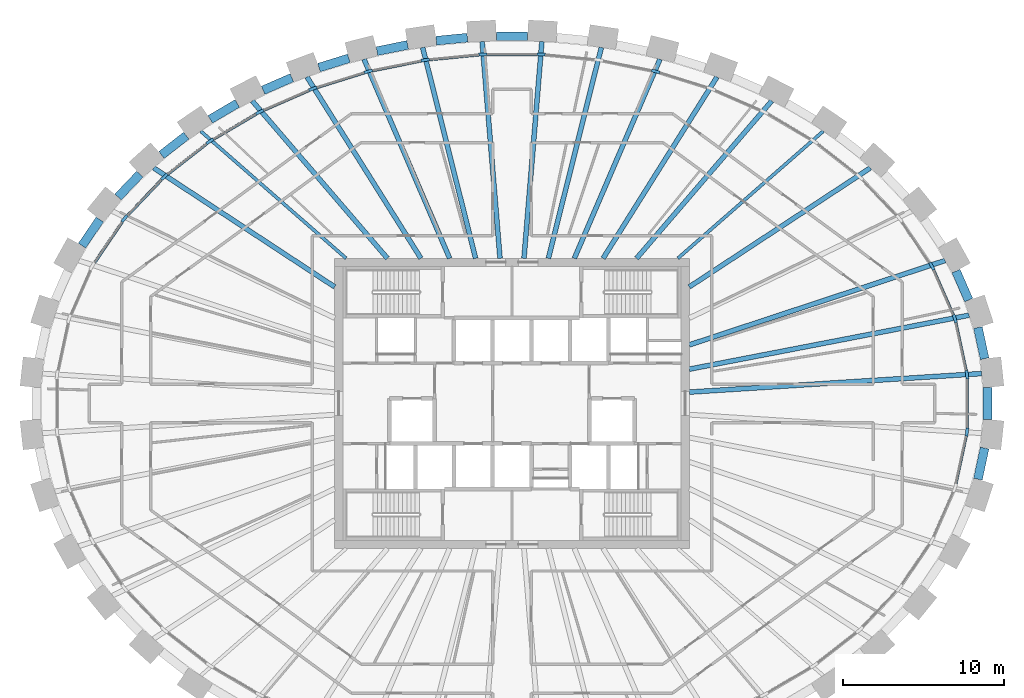
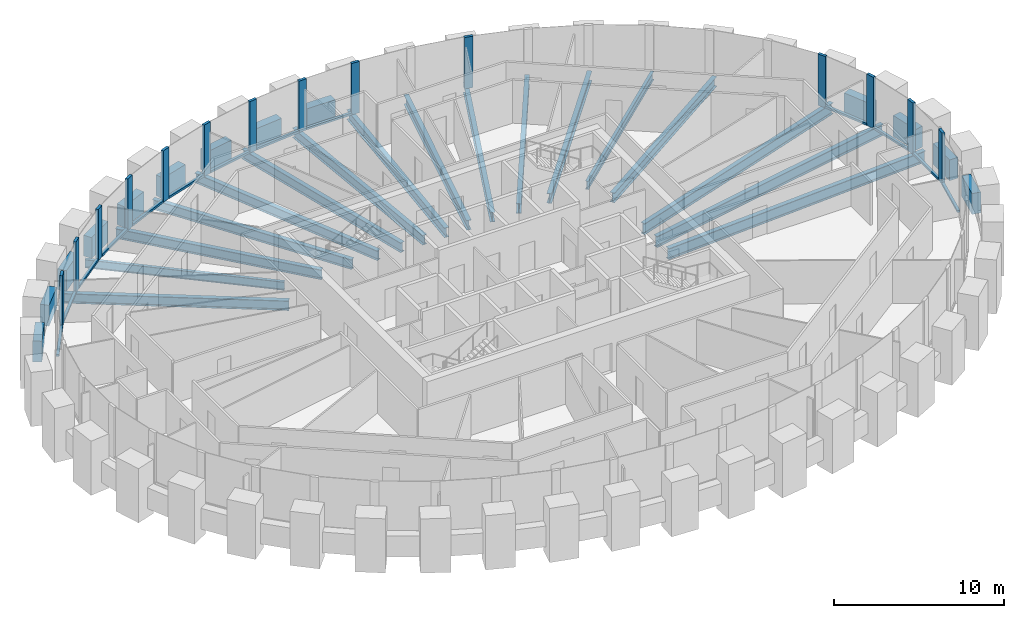
# One storey, part 3 of 12: 30 beams, 27 members, 1 element without a shape of its own.
"""IFC4 building model written with IfcOpenShell, lengths in metres."""

from ifc_helpers import new_model, si_unit, direction, frame, origin, origin_2d, place, context, subcontext, project, spatial, rectangle, i_section, extrude, source, transform, mapped, material, material_profile, profile_set, type_object, element, aggregate, save


model = new_model("IFC4")

# Units and contexts
model_context = context("Model", 3, precision=1e-05, world=origin(), true_north=direction((0.0, 1.0)))
body_context = subcontext(model_context, "Body", "Model", "MODEL_VIEW")
ifc_project = project(units=[si_unit("LENGTHUNIT", "METRE"), si_unit("AREAUNIT", "SQUARE_METRE"), si_unit("VOLUMEUNIT", "CUBIC_METRE"), si_unit("PLANEANGLEUNIT", "RADIAN"), si_unit("MASSUNIT", "GRAM", prefix="KILO")], contexts=[model_context])

# Site, building, storey
site_placement = place(None, origin())
site = spatial("IfcSite", under=ifc_project, at=site_placement, CompositionType="ELEMENT")
building_placement = place(site_placement, origin())
building = spatial("IfcBuilding", under=site, at=building_placement, Name="Embergate Tower", CompositionType="ELEMENT")
storey_placement = place(building_placement, frame((0.0, 0.0, 320.800048828125)))
storey = spatial("IfcBuildingStorey", under=building, at=storey_placement, Name="L75", CompositionType="ELEMENT", Elevation=320.800048828125)

# Beams
ifc_material_1 = material(Name="Concrete C50", Category="concrete")
ifc_material_profile_1 = material_profile(ifc_material_1, rectangle(XDim=0.550048828125, YDim=1.5, at=origin_2d()), Name="RC 550x1500")
ifc_profile_set_1 = profile_set([ifc_material_profile_1], Name="Concrete C50")
beam_type_1 = type_object("IfcBeamType", Name="Spandrel beam RC 550x1500 C50", PredefinedType="BEAM", material=ifc_profile_set_1)
shared_shape_1 = source(origin(), body_context, "Body", "SweptSolid", [
    extrude(rectangle(XDim=0.550048828125, YDim=1.5, at=origin_2d()), origin(), (0.0, 0.0, 1.0), 1.970947265625),
])
for number, where, z_axis, x_axis, name in (
    (1, (29.322998046875, 2.77587890625, 0.0), (-0.210078905476, 0.977684434505, 0.0), (-0.977684434505, -0.210078905476, 0.0), "SPN-L75-00"),
    (2, (28.908935546875, -4.702880859375, 0.0), (0.210078905476, 0.977684434505, 0.0), (-0.977684434505, 0.210078905476, 0.0), "SPN-L75-42"),
):
    element("IfcBeam", number, at=place(storey_placement, frame(where, z_axis=z_axis, x_axis=x_axis)), inside=storey, type_object=beam_type_1, Name=name, PredefinedType="BEAM", context=body_context, shape_type="MappedRepresentation", body=[
        mapped(shared_shape_1, transform((0.0, 0.0, 0.0))),
    ])
shared_shape_2 = source(origin(), body_context, "Body", "SweptSolid", [
    extrude(rectangle(XDim=0.550048828125, YDim=1.5, at=origin_2d()), origin(), (0.0, 0.0, 1.0), 1.96435546875),
])
beam_1_placement = place(storey_placement, frame((28.3359375, 6.408935546875, 0.0), z_axis=(-0.401555432353, 0.915834720213, 0.0), x_axis=(-0.915834720213, -0.401555432353, 0.0)))
element("IfcBeam", 3, at=beam_1_placement, inside=storey, type_object=beam_type_1, Name="SPN-L75-01", PredefinedType="BEAM", context=body_context, shape_type="MappedRepresentation", body=[
    mapped(shared_shape_2, transform((0.0, 0.0, 0.0))),
])
shared_shape_3 = source(origin(), body_context, "Body", "SweptSolid", [
    extrude(rectangle(XDim=0.550048828125, YDim=1.5, at=origin_2d()), origin(), (0.0, 0.0, 1.0), 1.960205078125),
])
beam_2_placement = place(storey_placement, frame((-25.573974609375, 11.404052734375, 0.0), z_axis=(-0.562207817231, -0.826995991674, 0.0), x_axis=(0.826995991674, -0.562207817231, 0.0)))
element("IfcBeam", 4, at=beam_2_placement, inside=storey, type_object=beam_type_1, Name="SPN-L75-18", PredefinedType="BEAM", context=body_context, shape_type="MappedRepresentation", body=[
    mapped(shared_shape_3, transform((0.0, 0.0, 0.0))),
])
shared_shape_4 = source(origin(), body_context, "Body", "SweptSolid", [
    extrude(rectangle(XDim=0.550048828125, YDim=1.5, at=origin_2d()), origin(), (0.0, 0.0, 1.0), 1.955078125),
])
beam_3_placement = place(storey_placement, frame((-23.093017578125, 14.218017578125, 0.0), z_axis=(-0.690558902138, -0.723276159346, 0.0), x_axis=(0.723276159346, -0.690558902138, 0.0)))
element("IfcBeam", 5, at=beam_3_placement, inside=storey, type_object=beam_type_1, Name="SPN-L75-17", PredefinedType="BEAM", context=body_context, shape_type="MappedRepresentation", body=[
    mapped(shared_shape_4, transform((0.0, 0.0, 0.0))),
])
shared_shape_5 = source(origin(), body_context, "Body", "SweptSolid", [
    extrude(rectangle(XDim=0.550048828125, YDim=1.5, at=origin_2d()), origin(), (0.0, 0.0, 1.0), 1.94873046875),
])
beam_4_placement = place(storey_placement, frame((-20.2099609375, 16.611083984375, 0.0), z_axis=(-0.78830540841, -0.615284148236, 0.0), x_axis=(0.615284148236, -0.78830540841, 0.0)))
element("IfcBeam", 6, at=beam_4_placement, inside=storey, type_object=beam_type_1, Name="SPN-L75-16", PredefinedType="BEAM", context=body_context, shape_type="MappedRepresentation", body=[
    mapped(shared_shape_5, transform((0.0, 0.0, 0.0))),
])
shared_shape_6 = source(origin(), body_context, "Body", "SweptSolid", [
    extrude(rectangle(XDim=0.550048828125, YDim=1.5, at=origin_2d()), origin(), (0.0, 0.0, 1.0), 1.944580078125),
])
beam_5_placement = place(storey_placement, frame((-17.044921875, 18.60888671875, 0.0), z_axis=(-0.861947125599, -0.506998178174, 0.0), x_axis=(0.506998178174, -0.861947125599, 0.0)))
element("IfcBeam", 7, at=beam_5_placement, inside=storey, type_object=beam_type_1, Name="SPN-L75-15", PredefinedType="BEAM", context=body_context, shape_type="MappedRepresentation", body=[
    mapped(shared_shape_6, transform((0.0, 0.0, 0.0))),
])
shared_shape_7 = source(origin(), body_context, "Body", "SweptSolid", [
    extrude(rectangle(XDim=0.550048828125, YDim=1.5, at=origin_2d()), origin(), (0.0, 0.0, 1.0), 1.943603515625),
])
beam_6_placement = place(storey_placement, frame((-13.660888671875, 20.205078125, 0.0), z_axis=(-0.916367666651, -0.400337731818, 0.0), x_axis=(0.400337731818, -0.916367666651, 0.0)))
element("IfcBeam", 8, at=beam_6_placement, inside=storey, type_object=beam_type_1, Name="SPN-L75-14", PredefinedType="BEAM", context=body_context, shape_type="MappedRepresentation", body=[
    mapped(shared_shape_7, transform((0.0, 0.0, 0.0))),
])
shared_shape_8 = source(origin(), body_context, "Body", "SweptSolid", [
    extrude(rectangle(XDim=0.550048828125, YDim=1.5, at=origin_2d()), origin(), (0.0, 0.0, 1.0), 1.940673828125),
])
beam_7_placement = place(storey_placement, frame((-10.1220703125, 21.410888671875, 0.0), z_axis=(-0.954797285525, -0.297257705625, 0.0), x_axis=(0.297257705625, -0.954797285525, 0.0)))
element("IfcBeam", 9, at=beam_7_placement, inside=storey, type_object=beam_type_1, Name="SPN-L75-13", PredefinedType="BEAM", context=body_context, shape_type="MappedRepresentation", body=[
    mapped(shared_shape_8, transform((0.0, 0.0, 0.0))),
])
shared_shape_9 = source(origin(), body_context, "Body", "SweptSolid", [
    extrude(rectangle(XDim=0.550048828125, YDim=1.5, at=origin_2d()), origin(), (0.0, 0.0, 1.0), 1.93994140625),
])
for number, where, z_axis, x_axis, name in (
    (10, (0.969970703125, 22.781005859375, 0.0), (-1.0, 0.0, 0.0), (0.0, -1.0, 0.0), "SPN-L75-10"),
    (11, (-6.47607421875, 22.238037109375, 0.0), (-0.980410889527, -0.1969631633, 0.0), (0.1969631633, -0.980410889527, 0.0), "SPN-L75-12"),
):
    element("IfcBeam", number, at=place(storey_placement, frame(where, z_axis=z_axis, x_axis=x_axis)), inside=storey, type_object=beam_type_1, Name=name, PredefinedType="BEAM", context=body_context, shape_type="MappedRepresentation", body=[
        mapped(shared_shape_9, transform((0.0, 0.0, 0.0))),
    ])
shared_shape_10 = source(origin(), body_context, "Body", "SweptSolid", [
    extrude(rectangle(XDim=0.550048828125, YDim=1.5, at=origin_2d()), origin(), (0.0, 0.0, 1.0), 1.938232421875),
])
beam_8_placement = place(storey_placement, frame((-2.76708984375, 22.693115234375, 0.0), z_axis=(-0.995174653714, -0.098119358973, 0.0), x_axis=(0.098119358973, -0.995174653714, 0.0)))
element("IfcBeam", 12, at=beam_8_placement, inside=storey, type_object=beam_type_1, Name="SPN-L75-11", PredefinedType="BEAM", context=body_context, shape_type="MappedRepresentation", body=[
    mapped(shared_shape_10, transform((0.0, 0.0, 0.0))),
])
shared_shape_11 = source(origin(), body_context, "Body", "SweptSolid", [
    extrude(rectangle(XDim=0.550048828125, YDim=1.5, at=origin_2d()), origin(), (0.0, 0.0, 1.0), 1.97216796875),
])
beam_9_placement = place(storey_placement, frame((29.513916015625, -0.986083984375, 0.0), z_axis=(0.0, 1.0, 0.0), x_axis=(-1.0, 0.0, 0.0)))
element("IfcBeam", 13, at=beam_9_placement, inside=storey, type_object=beam_type_1, Name="SPN-L75-43", PredefinedType="BEAM", context=body_context, shape_type="MappedRepresentation", body=[
    mapped(shared_shape_11, transform((0.0, 0.0, 0.0))),
])
ifc_material_2 = material(Name="Steel Q355B", Category="steel")
ifc_material_profile_2 = material_profile(ifc_material_2, i_section(OverallWidth=0.300048828125, OverallDepth=0.800048828125, WebThickness=0.013916015625, FlangeThickness=0.02587890625, FilletRadius=0.028076171875, at=origin_2d()), Name="HN 800x300x14x26")
ifc_profile_set_2 = profile_set([ifc_material_profile_2], Name="Steel Q355 grade B")
beam_type_2 = type_object("IfcBeamType", Name="Radial girder HN 800x300x14x26", PredefinedType="BEAM", material=ifc_profile_set_2)
shared_shape_12 = source(origin(), body_context, "Body", "SweptSolid", [
    extrude(i_section(OverallWidth=0.300048828125, OverallDepth=0.800048828125, WebThickness=0.013916015625, FlangeThickness=0.02587890625, FilletRadius=0.028076171875, at=origin_2d()), origin(), (0.0, 0.0, 1.0), 18.175537109375),
])
beam_10_placement = place(storey_placement, frame((29.138916015625, 1.85107421875, -0.60009765625), z_axis=(-0.997988982715, -0.063387620085, 0.0), x_axis=(0.063387620085, -0.997988982715, 0.0)))
element("IfcBeam", 14, at=beam_10_placement, inside=storey, type_object=beam_type_2, Name="GIR-L75-00", PredefinedType="BEAM", context=body_context, shape_type="MappedRepresentation", body=[
    mapped(shared_shape_12, transform((0.0, 0.0, 0.0))),
])
shared_shape_13 = source(origin(), body_context, "Body", "SweptSolid", [
    extrude(i_section(OverallWidth=0.300048828125, OverallDepth=0.800048828125, WebThickness=0.013916015625, FlangeThickness=0.02587890625, FilletRadius=0.028076171875, at=origin_2d()), origin(), (0.0, 0.0, 1.0), 17.68017578125),
])
beam_11_placement = place(storey_placement, frame((28.360107421875, 5.470947265625, -0.60009765625), z_axis=(-0.981897251482, -0.189414327683, 0.0), x_axis=(0.189414327683, -0.981897251482, 0.0)))
element("IfcBeam", 15, at=beam_11_placement, inside=storey, type_object=beam_type_2, Name="GIR-L75-01", PredefinedType="BEAM", context=body_context, shape_type="MappedRepresentation", body=[
    mapped(shared_shape_13, transform((0.0, 0.0, 0.0))),
])
shared_shape_14 = source(origin(), body_context, "Body", "SweptSolid", [
    extrude(i_section(OverallWidth=0.300048828125, OverallDepth=0.800048828125, WebThickness=0.013916015625, FlangeThickness=0.02587890625, FilletRadius=0.028076171875, at=origin_2d()), origin(), (0.0, 0.0, 1.0), 16.713134765625),
])
beam_12_placement = place(storey_placement, frame((26.8720703125, 8.863037109375, -0.60009765625), z_axis=(-0.949676282781, -0.313233072843, 0.0), x_axis=(0.313233072843, -0.949676282781, 0.0)))
element("IfcBeam", 16, at=beam_12_placement, inside=storey, type_object=beam_type_2, Name="GIR-L75-02", PredefinedType="BEAM", context=body_context, shape_type="MappedRepresentation", body=[
    mapped(shared_shape_14, transform((0.0, 0.0, 0.0))),
])
ifc_material_profile_3 = material_profile(ifc_material_2, i_section(OverallWidth=0.300048828125, OverallDepth=0.699951171875, WebThickness=0.012939453125, FlangeThickness=0.02392578125, FilletRadius=0.01806640625, at=origin_2d()), Name="HN 700x300x13x24")
ifc_profile_set_3 = profile_set([ifc_material_profile_3], Name="Steel Q355 grade B")
beam_type_3 = type_object("IfcBeamType", Name="Radial girder HN 700x300x13x24", PredefinedType="BEAM", material=ifc_profile_set_3)
shared_shape_15 = source(origin(), body_context, "Body", "SweptSolid", [
    extrude(i_section(OverallWidth=0.300048828125, OverallDepth=0.699951171875, WebThickness=0.012939453125, FlangeThickness=0.02392578125, FilletRadius=0.01806640625, at=origin_2d()), origin(), (0.0, 0.0, 1.0), 13.439453125),
])
for number, where, z_axis, x_axis, name in (
    (17, (22.23193359375, 14.60693359375, -0.550048828125), (-0.835743114623, -0.549120611851, 0.0), (0.549120611851, -0.835743114623, 0.0), "GIR-L75-04"),
    (18, (-22.23193359375, 14.60693359375, -0.550048828125), (0.835743114623, -0.549120611851, 0.0), (0.549120611851, 0.835743114623, 0.0), "GIR-L75-17"),
):
    element("IfcBeam", number, at=place(storey_placement, frame(where, z_axis=z_axis, x_axis=x_axis)), inside=storey, type_object=beam_type_3, Name=name, PredefinedType="BEAM", context=body_context, shape_type="MappedRepresentation", body=[
        mapped(shared_shape_15, transform((0.0, 0.0, 0.0))),
    ])
ifc_material_profile_4 = material_profile(ifc_material_2, i_section(OverallWidth=0.199951171875, OverallDepth=0.60009765625, WebThickness=0.010986328125, FlangeThickness=0.01708984375, FilletRadius=0.012939453125, at=origin_2d()), Name="HN 600x200x11x17")
ifc_profile_set_4 = profile_set([ifc_material_profile_4], Name="Steel Q355 grade B")
beam_type_4 = type_object("IfcBeamType", Name="Radial girder HN 600x200x11x17", PredefinedType="BEAM", material=ifc_profile_set_4)
shared_shape_16 = source(origin(), body_context, "Body", "SweptSolid", [
    extrude(i_section(OverallWidth=0.199951171875, OverallDepth=0.60009765625, WebThickness=0.010986328125, FlangeThickness=0.01708984375, FilletRadius=0.012939453125, at=origin_2d()), origin(), (0.0, 0.0, 1.0), 11.982421875),
])
for number, where, z_axis, x_axis, name in (
    (19, (19.31103515625, 16.887939453125, -0.5), (-0.752765986621, -0.65828821149, 0.0), (0.65828821149, -0.752765986621, 0.0), "GIR-L75-05"),
    (20, (-19.31103515625, 16.887939453125, -0.5), (0.752765986621, -0.65828821149, 0.0), (0.65828821149, 0.752765986621, 0.0), "GIR-L75-16"),
):
    element("IfcBeam", number, at=place(storey_placement, frame(where, z_axis=z_axis, x_axis=x_axis)), inside=storey, type_object=beam_type_4, Name=name, PredefinedType="BEAM", context=body_context, shape_type="MappedRepresentation", body=[
        mapped(shared_shape_16, transform((0.0, 0.0, 0.0))),
    ])
shared_shape_17 = source(origin(), body_context, "Body", "SweptSolid", [
    extrude(i_section(OverallWidth=0.300048828125, OverallDepth=0.699951171875, WebThickness=0.012939453125, FlangeThickness=0.02392578125, FilletRadius=0.01806640625, at=origin_2d()), origin(), (0.0, 0.0, 1.0), 12.873779296875),
])
for number, where, z_axis, x_axis, name in (
    (21, (16.115966796875, 18.76708984375, -0.550048828125), (-0.65147047054, -0.758673991919, 0.0), (0.758673991919, -0.65147047054, 0.0), "GIR-L75-06"),
    (22, (-16.115966796875, 18.76708984375, -0.550048828125), (0.65147047054, -0.758673991919, 0.0), (0.758673991919, 0.65147047054, 0.0), "GIR-L75-15"),
):
    element("IfcBeam", number, at=place(storey_placement, frame(where, z_axis=z_axis, x_axis=x_axis)), inside=storey, type_object=beam_type_3, Name=name, PredefinedType="BEAM", context=body_context, shape_type="MappedRepresentation", body=[
        mapped(shared_shape_17, transform((0.0, 0.0, 0.0))),
    ])
shared_shape_18 = source(origin(), body_context, "Body", "SweptSolid", [
    extrude(i_section(OverallWidth=0.300048828125, OverallDepth=0.699951171875, WebThickness=0.012939453125, FlangeThickness=0.02392578125, FilletRadius=0.01806640625, at=origin_2d()), origin(), (0.0, 0.0, 1.0), 13.287109375),
])
for number, where, z_axis, x_axis, name in (
    (23, (12.718994140625, 20.251953125, -0.550048828125), (-0.531860684771, -0.846831867607, 0.0), (0.846831867607, -0.531860684771, 0.0), "GIR-L75-07"),
    (24, (-12.718994140625, 20.251953125, -0.550048828125), (0.531860684771, -0.846831867607, 0.0), (0.846831867607, 0.531860684771, 0.0), "GIR-L75-14"),
):
    element("IfcBeam", number, at=place(storey_placement, frame(where, z_axis=z_axis, x_axis=x_axis)), inside=storey, type_object=beam_type_3, Name=name, PredefinedType="BEAM", context=body_context, shape_type="MappedRepresentation", body=[
        mapped(shared_shape_18, transform((0.0, 0.0, 0.0))),
    ])
shared_shape_19 = source(origin(), body_context, "Body", "SweptSolid", [
    extrude(i_section(OverallWidth=0.300048828125, OverallDepth=0.699951171875, WebThickness=0.012939453125, FlangeThickness=0.02392578125, FilletRadius=0.01806640625, at=origin_2d()), origin(), (0.0, 0.0, 1.0), 13.44677734375),
])
for number, where, z_axis, x_axis, name in (
    (25, (9.178955078125, 21.35400390625, -0.550048828125), (-0.39489198658, -0.918727554248, 0.0), (0.918727554248, -0.39489198658, 0.0), "GIR-L75-08"),
    (26, (-9.178955078125, 21.35400390625, -0.550048828125), (0.39489198658, -0.918727554248, 0.0), (0.918727554248, 0.39489198658, 0.0), "GIR-L75-13"),
):
    element("IfcBeam", number, at=place(storey_placement, frame(where, z_axis=z_axis, x_axis=x_axis)), inside=storey, type_object=beam_type_3, Name=name, PredefinedType="BEAM", context=body_context, shape_type="MappedRepresentation", body=[
        mapped(shared_shape_19, transform((0.0, 0.0, 0.0))),
    ])
shared_shape_20 = source(origin(), body_context, "Body", "SweptSolid", [
    extrude(i_section(OverallWidth=0.300048828125, OverallDepth=0.699951171875, WebThickness=0.012939453125, FlangeThickness=0.02392578125, FilletRadius=0.01806640625, at=origin_2d()), origin(), (0.0, 0.0, 1.0), 13.48876953125),
])
for number, where, z_axis, x_axis, name in (
    (27, (5.54296875, 22.0830078125, -0.550048828125), (-0.243455392771, -0.969912094847, 0.0), (0.969912094847, -0.243455392771, 0.0), "GIR-L75-09"),
    (28, (-5.54296875, 22.0830078125, -0.550048828125), (0.243455392771, -0.969912094847, 0.0), (0.969912094847, 0.243455392771, 0.0), "GIR-L75-12"),
):
    element("IfcBeam", number, at=place(storey_placement, frame(where, z_axis=z_axis, x_axis=x_axis)), inside=storey, type_object=beam_type_3, Name=name, PredefinedType="BEAM", context=body_context, shape_type="MappedRepresentation", body=[
        mapped(shared_shape_20, transform((0.0, 0.0, 0.0))),
    ])
shared_shape_21 = source(origin(), body_context, "Body", "SweptSolid", [
    extrude(i_section(OverallWidth=0.300048828125, OverallDepth=0.699951171875, WebThickness=0.012939453125, FlangeThickness=0.02392578125, FilletRadius=0.01806640625, at=origin_2d()), origin(), (0.0, 0.0, 1.0), 13.49169921875),
])
for number, where, z_axis, x_axis, name in (
    (29, (1.85400390625, 22.446044921875, -0.550048828125), (-0.082280203241, -0.996609235435, 0.0), (0.996609235435, -0.082280203241, 0.0), "GIR-L75-10"),
    (30, (-1.85400390625, 22.446044921875, -0.550048828125), (0.082280203241, -0.996609235435, 0.0), (0.996609235435, 0.082280203241, 0.0), "GIR-L75-11"),
):
    element("IfcBeam", number, at=place(storey_placement, frame(where, z_axis=z_axis, x_axis=x_axis)), inside=storey, type_object=beam_type_3, Name=name, PredefinedType="BEAM", context=body_context, shape_type="MappedRepresentation", body=[
        mapped(shared_shape_21, transform((0.0, 0.0, 0.0))),
    ])

# Curtain wall, members
ifc_material_3 = material(Name="Aluminium and glass", Category="aluminium")
curtain_wall_type = type_object("IfcCurtainWallType", Name="Recessed office glazing", PredefinedType="NOTDEFINED", material=ifc_material_3)
curtain_wall_placement = place(storey_placement, origin())
curtain_wall = element("IfcCurtainWall", 31, at=curtain_wall_placement, inside=storey, type_object=curtain_wall_type, Name="Recessed office glazing ring", ObjectType="RECESSED OFFICE GLAZING", PredefinedType="USERDEFINED")
ifc_material_4 = material(Name="Aluminium, thermally broken", Category="aluminium")
ifc_material_profile_5 = material_profile(ifc_material_4, rectangle(XDim=0.179931640625, YDim=0.52001953125, at=origin_2d()), Name="AL 520x180")
ifc_profile_set_5 = profile_set([ifc_material_profile_5], Name="Aluminium, thermally broken")
member_type_1 = type_object("IfcMemberType", Name="Office mullion", PredefinedType="MULLION", material=ifc_profile_set_5)
shared_shape_22 = source(origin(), body_context, "Body", "SweptSolid", [
    extrude(rectangle(XDim=0.179931640625, YDim=0.52001953125, at=origin_2d()), origin(), (0.0, 0.0, 1.0), 3.699951171875),
])
member_1_placement = place(storey_placement, frame((28.228759765625, 1.7763671875, 0.0), z_axis=(0.0, 0.0, 1.0), x_axis=(-0.994384031216, -0.105831934987, 0.0)))
member_1 = element("IfcMember", 32, at=member_1_placement, type_object=member_type_1, Name="CW mullion 1", PredefinedType="MULLION", context=body_context, shape_type="MappedRepresentation", body=[
    mapped(shared_shape_22, transform((0.0, 0.0, 0.0))),
])
member_2_placement = place(storey_placement, frame((27.480712890625, 5.251708984375, 0.0), z_axis=(0.0, 0.0, 1.0), x_axis=(-0.951491891254, -0.307673822216, 0.0)))
member_2 = element("IfcMember", 33, at=member_2_placement, type_object=member_type_1, Name="CW mullion 2", PredefinedType="MULLION", context=body_context, shape_type="MappedRepresentation", body=[
    mapped(shared_shape_22, transform((0.0, 0.0, 0.0))),
])
member_3_placement = place(storey_placement, frame((26.05029296875, 8.513671875, 0.0), z_axis=(0.0, 0.0, 1.0), x_axis=(-0.874990911284, -0.484139344787, 0.0)))
member_3 = element("IfcMember", 34, at=member_3_placement, type_object=member_type_1, Name="CW mullion 3", PredefinedType="MULLION", context=body_context, shape_type="MappedRepresentation", body=[
    mapped(shared_shape_22, transform((0.0, 0.0, 0.0))),
])
member_4_placement = place(storey_placement, frame((8.918212890625, 20.593505859375, 0.0), z_axis=(0.0, 0.0, 1.0), x_axis=(-0.24731188137, -0.968935928394, 0.0)))
member_4 = element("IfcMember", 35, at=member_4_placement, type_object=member_type_1, Name="CW mullion 9", PredefinedType="MULLION", context=body_context, shape_type="MappedRepresentation", body=[
    mapped(shared_shape_22, transform((0.0, 0.0, 0.0))),
])
member_5_placement = place(storey_placement, frame((1.801513671875, 21.654052734375, 0.0), z_axis=(0.0, 0.0, 1.0), x_axis=(-0.048971796621, -0.998800161762, 0.0)))
member_5 = element("IfcMember", 36, at=member_5_placement, type_object=member_type_1, Name="CW mullion 11", PredefinedType="MULLION", context=body_context, shape_type="MappedRepresentation", body=[
    mapped(shared_shape_22, transform((0.0, 0.0, 0.0))),
])
member_6_placement = place(storey_placement, frame((-1.801513671875, 21.654052734375, 0.0), z_axis=(0.0, 0.0, 1.0), x_axis=(0.048971796621, -0.998800161762, 0.0)))
member_6 = element("IfcMember", 37, at=member_6_placement, type_object=member_type_1, Name="CW mullion 12", PredefinedType="MULLION", context=body_context, shape_type="MappedRepresentation", body=[
    mapped(shared_shape_22, transform((0.0, 0.0, 0.0))),
])
member_7_placement = place(storey_placement, frame((-5.386962890625, 21.301513671875, 0.0), z_axis=(0.0, 0.0, 1.0), x_axis=(0.147412382818, -0.989075118174, 0.0)))
member_7 = element("IfcMember", 38, at=member_7_placement, type_object=member_type_1, Name="CW mullion 13", PredefinedType="MULLION", context=body_context, shape_type="MappedRepresentation", body=[
    mapped(shared_shape_22, transform((0.0, 0.0, 0.0))),
])
member_8_placement = place(storey_placement, frame((-8.918212890625, 20.593505859375, 0.0), z_axis=(0.0, 0.0, 1.0), x_axis=(0.24731188137, -0.968935928394, 0.0)))
member_8 = element("IfcMember", 39, at=member_8_placement, type_object=member_type_1, Name="CW mullion 14", PredefinedType="MULLION", context=body_context, shape_type="MappedRepresentation", body=[
    mapped(shared_shape_22, transform((0.0, 0.0, 0.0))),
])
member_9_placement = place(storey_placement, frame((-12.354736328125, 19.523193359375, 0.0), z_axis=(0.0, 0.0, 1.0), x_axis=(0.349501047589, -0.936935973124, 0.0)))
member_9 = element("IfcMember", 40, at=member_9_placement, type_object=member_type_1, Name="CW mullion 15", PredefinedType="MULLION", context=body_context, shape_type="MappedRepresentation", body=[
    mapped(shared_shape_22, transform((0.0, 0.0, 0.0))),
])
member_10_placement = place(storey_placement, frame((-15.649658203125, 18.08251953125, 0.0), z_axis=(0.0, 0.0, 1.0), x_axis=(0.454508271251, -0.890742516872, 0.0)))
member_10 = element("IfcMember", 41, at=member_10_placement, type_object=member_type_1, Name="CW mullion 16", PredefinedType="MULLION", context=body_context, shape_type="MappedRepresentation", body=[
    mapped(shared_shape_22, transform((0.0, 0.0, 0.0))),
])
member_11_placement = place(storey_placement, frame((-18.745849609375, 16.261962890625, 0.0), z_axis=(0.0, 0.0, 1.0), x_axis=(0.562210401679, -0.82699423471, 0.0)))
member_11 = element("IfcMember", 42, at=member_11_placement, type_object=member_type_1, Name="CW mullion 17", PredefinedType="MULLION", context=body_context, shape_type="MappedRepresentation", body=[
    mapped(shared_shape_22, transform((0.0, 0.0, 0.0))),
])
member_12_placement = place(storey_placement, frame((-21.57275390625, 14.0556640625, 0.0), z_axis=(0.0, 0.0, 1.0), x_axis=(0.671217477801, -0.741260478843, 0.0)))
member_12 = element("IfcMember", 43, at=member_12_placement, type_object=member_type_1, Name="CW mullion 18", PredefinedType="MULLION", context=body_context, shape_type="MappedRepresentation", body=[
    mapped(shared_shape_22, transform((0.0, 0.0, 0.0))),
])
member_13_placement = place(storey_placement, frame((-24.04248046875, 11.4658203125, 0.0), z_axis=(0.0, 0.0, 1.0), x_axis=(0.777861596203, -0.628435626897, 0.0)))
member_13 = element("IfcMember", 44, at=member_13_placement, type_object=member_type_1, Name="CW mullion 19", PredefinedType="MULLION", context=body_context, shape_type="MappedRepresentation", body=[
    mapped(shared_shape_22, transform((0.0, 0.0, 0.0))),
])
member_14_placement = place(storey_placement, frame((28.228759765625, -1.7763671875, 0.0), z_axis=(0.0, 0.0, 1.0), x_axis=(-0.994384031216, 0.105831934987, 0.0)))
member_14 = element("IfcMember", 45, at=member_14_placement, type_object=member_type_1, Name="CW mullion 44", PredefinedType="MULLION", context=body_context, shape_type="MappedRepresentation", body=[
    mapped(shared_shape_22, transform((0.0, 0.0, 0.0))),
])
ifc_material_profile_6 = material_profile(ifc_material_4, rectangle(XDim=0.179931640625, YDim=0.14990234375, at=origin_2d()), Name="AL 150x180")
ifc_profile_set_6 = profile_set([ifc_material_profile_6], Name="Aluminium, thermally broken")
member_type_2 = type_object("IfcMemberType", Name="Office sill transom", PredefinedType="USERDEFINED", material=ifc_profile_set_6)
shared_shape_23 = source(origin(), body_context, "Body", "SweptSolid", [
    extrude(rectangle(XDim=0.179931640625, YDim=0.14990234375, at=origin_2d()), origin(), (0.0, 0.0, 1.0), 3.034912109375),
])
member_15_placement = place(storey_placement, frame((28.174072265625, 2.030517578125, 0.074951171875), z_axis=(-0.210435439113, 0.977607756703, 0.0), x_axis=(-0.977607756703, -0.210435439113, 0.0)))
member_15 = element("IfcMember", 46, at=member_15_placement, type_object=member_type_2, Name="CW transom 1.1", ObjectType="TRANSOM", PredefinedType="USERDEFINED", context=body_context, shape_type="MappedRepresentation", body=[
    mapped(shared_shape_23, transform((0.0, 0.0, 0.0))),
])
member_16_placement = place(storey_placement, frame((27.535400390625, -4.99755859375, 0.074951171875), z_axis=(0.210435439113, 0.977607756703, 0.0), x_axis=(-0.977607756703, 0.210435439113, 0.0)))
member_16 = element("IfcMember", 47, at=member_16_placement, type_object=member_type_2, Name="CW transom 43.1", ObjectType="TRANSOM", PredefinedType="USERDEFINED", context=body_context, shape_type="MappedRepresentation", body=[
    mapped(shared_shape_23, transform((0.0, 0.0, 0.0))),
])
shared_shape_24 = source(origin(), body_context, "Body", "SweptSolid", [
    extrude(rectangle(XDim=0.179931640625, YDim=0.14990234375, at=origin_2d()), origin(), (0.0, 0.0, 1.0), 3.04150390625),
])
member_17_placement = place(storey_placement, frame((27.37646484375, 5.489990234375, 0.074951171875), z_axis=(-0.401665038181, 0.915786654797, 0.0), x_axis=(-0.915786654797, -0.401665038181, 0.0)))
member_17 = element("IfcMember", 48, at=member_17_placement, type_object=member_type_2, Name="CW transom 2.1", ObjectType="TRANSOM", PredefinedType="USERDEFINED", context=body_context, shape_type="MappedRepresentation", body=[
    mapped(shared_shape_24, transform((0.0, 0.0, 0.0))),
])
shared_shape_25 = source(origin(), body_context, "Body", "SweptSolid", [
    extrude(rectangle(XDim=0.179931640625, YDim=0.14990234375, at=origin_2d()), origin(), (0.0, 0.0, 1.0), 3.050537109375),
])
member_18_placement = place(storey_placement, frame((-24.188720703125, 11.2509765625, 0.074951171875), z_axis=(-0.562323156119, -0.826917570313, 0.0), x_axis=(0.826917570313, -0.562323156119, 0.0)))
member_18 = element("IfcMember", 49, at=member_18_placement, type_object=member_type_2, Name="CW transom 19.1", ObjectType="TRANSOM", PredefinedType="USERDEFINED", context=body_context, shape_type="MappedRepresentation", body=[
    mapped(shared_shape_25, transform((0.0, 0.0, 0.0))),
])
shared_shape_26 = source(origin(), body_context, "Body", "SweptSolid", [
    extrude(rectangle(XDim=0.179931640625, YDim=0.14990234375, at=origin_2d()), origin(), (0.0, 0.0, 1.0), 3.05859375),
])
member_19_placement = place(storey_placement, frame((-21.752197265625, 13.867431640625, 0.074951171875), z_axis=(-0.690145338974, -0.723670789167, 0.0), x_axis=(0.723670789167, -0.690145338974, 0.0)))
member_19 = element("IfcMember", 50, at=member_19_placement, type_object=member_type_2, Name="CW transom 18.1", ObjectType="TRANSOM", PredefinedType="USERDEFINED", context=body_context, shape_type="MappedRepresentation", body=[
    mapped(shared_shape_26, transform((0.0, 0.0, 0.0))),
])
shared_shape_27 = source(origin(), body_context, "Body", "SweptSolid", [
    extrude(rectangle(XDim=0.179931640625, YDim=0.14990234375, at=origin_2d()), origin(), (0.0, 0.0, 1.0), 3.06591796875),
])
member_20_placement = place(storey_placement, frame((-18.950927734375, 16.10205078125, 0.074951171875), z_axis=(-0.788347811485, -0.615229817326, 0.0), x_axis=(0.615229817326, -0.788347811485, 0.0)))
member_20 = element("IfcMember", 51, at=member_20_placement, type_object=member_type_2, Name="CW transom 17.1", ObjectType="TRANSOM", PredefinedType="USERDEFINED", context=body_context, shape_type="MappedRepresentation", body=[
    mapped(shared_shape_27, transform((0.0, 0.0, 0.0))),
])
shared_shape_28 = source(origin(), body_context, "Body", "SweptSolid", [
    extrude(rectangle(XDim=0.179931640625, YDim=0.14990234375, at=origin_2d()), origin(), (0.0, 0.0, 1.0), 3.07177734375),
])
member_21_placement = place(storey_placement, frame((-15.873779296875, 17.95068359375, 0.074951171875), z_axis=(-0.862038399322, -0.506842971831, 0.0), x_axis=(0.506842971831, -0.862038399322, 0.0)))
member_21 = element("IfcMember", 52, at=member_21_placement, type_object=member_type_2, Name="CW transom 16.1", ObjectType="TRANSOM", PredefinedType="USERDEFINED", context=body_context, shape_type="MappedRepresentation", body=[
    mapped(shared_shape_28, transform((0.0, 0.0, 0.0))),
])
shared_shape_29 = source(origin(), body_context, "Body", "SweptSolid", [
    extrude(rectangle(XDim=0.179931640625, YDim=0.14990234375, at=origin_2d()), origin(), (0.0, 0.0, 1.0), 3.076171875),
])
member_22_placement = place(storey_placement, frame((-12.593017578125, 19.4189453125, 0.074951171875), z_axis=(-0.916242921691, -0.400623150169, 0.0), x_axis=(0.400623150169, -0.916242921691, 0.0)))
member_22 = element("IfcMember", 53, at=member_22_placement, type_object=member_type_2, Name="CW transom 15.1", ObjectType="TRANSOM", PredefinedType="USERDEFINED", context=body_context, shape_type="MappedRepresentation", body=[
    mapped(shared_shape_29, transform((0.0, 0.0, 0.0))),
])
shared_shape_30 = source(origin(), body_context, "Body", "SweptSolid", [
    extrude(rectangle(XDim=0.179931640625, YDim=0.14990234375, at=origin_2d()), origin(), (0.0, 0.0, 1.0), 3.079345703125),
])
member_23_placement = place(storey_placement, frame((-9.16650390625, 20.51611328125, 0.074951171875), z_axis=(-0.954753265605, -0.297399061558, 0.0), x_axis=(0.297399061558, -0.954753265605, 0.0)))
member_23 = element("IfcMember", 54, at=member_23_placement, type_object=member_type_2, Name="CW transom 14.1", ObjectType="TRANSOM", PredefinedType="USERDEFINED", context=body_context, shape_type="MappedRepresentation", body=[
    mapped(shared_shape_30, transform((0.0, 0.0, 0.0))),
])
shared_shape_31 = source(origin(), body_context, "Body", "SweptSolid", [
    extrude(rectangle(XDim=0.179931640625, YDim=0.14990234375, at=origin_2d()), origin(), (0.0, 0.0, 1.0), 3.081298828125),
])
member_24_placement = place(storey_placement, frame((-5.64208984375, 21.25048828125, 0.074951171875), z_axis=(-0.980473874626, -0.19664938641, 0.0), x_axis=(0.19664938641, -0.980473874626, 0.0)))
member_24 = element("IfcMember", 55, at=member_24_placement, type_object=member_type_2, Name="CW transom 13.1", ObjectType="TRANSOM", PredefinedType="USERDEFINED", context=body_context, shape_type="MappedRepresentation", body=[
    mapped(shared_shape_31, transform((0.0, 0.0, 0.0))),
])
shared_shape_32 = source(origin(), body_context, "Body", "SweptSolid", [
    extrude(rectangle(XDim=0.179931640625, YDim=0.14990234375, at=origin_2d()), origin(), (0.0, 0.0, 1.0), 3.0830078125),
])
member_25_placement = place(storey_placement, frame((1.54150390625, 21.654052734375, 0.074951171875), z_axis=(-1.0, 0.0, 0.0), x_axis=(0.0, -1.0, 0.0)))
member_25 = element("IfcMember", 56, at=member_25_placement, type_object=member_type_2, Name="CW transom 11.1", ObjectType="TRANSOM", PredefinedType="USERDEFINED", context=body_context, shape_type="MappedRepresentation", body=[
    mapped(shared_shape_32, transform((0.0, 0.0, 0.0))),
])
member_26_placement = place(storey_placement, frame((-2.060302734375, 21.628662109375, 0.074951171875), z_axis=(-0.995198169666, -0.09788055524, 0.0), x_axis=(0.09788055524, -0.995198169666, 0.0)))
member_26 = element("IfcMember", 57, at=member_26_placement, type_object=member_type_2, Name="CW transom 12.1", ObjectType="TRANSOM", PredefinedType="USERDEFINED", context=body_context, shape_type="MappedRepresentation", body=[
    mapped(shared_shape_32, transform((0.0, 0.0, 0.0))),
])
shared_shape_33 = source(origin(), body_context, "Body", "SweptSolid", [
    extrude(rectangle(XDim=0.179931640625, YDim=0.14990234375, at=origin_2d()), origin(), (0.0, 0.0, 1.0), 3.03271484375),
])
member_27_placement = place(storey_placement, frame((28.228759765625, -1.516357421875, 0.074951171875), z_axis=(0.0, 1.0, 0.0), x_axis=(-1.0, 0.0, 0.0)))
member_27 = element("IfcMember", 58, at=member_27_placement, type_object=member_type_2, Name="CW transom 44.1", ObjectType="TRANSOM", PredefinedType="USERDEFINED", context=body_context, shape_type="MappedRepresentation", body=[
    mapped(shared_shape_33, transform((0.0, 0.0, 0.0))),
])
aggregate(curtain_wall, [member_1, member_2, member_3, member_4, member_5, member_6, member_7, member_8, member_9, member_10, member_11, member_12, member_13, member_14, member_15, member_17, member_25, member_26, member_24, member_23, member_22, member_21, member_20, member_19, member_18, member_16, member_27])

save(model, "model.ifc")
